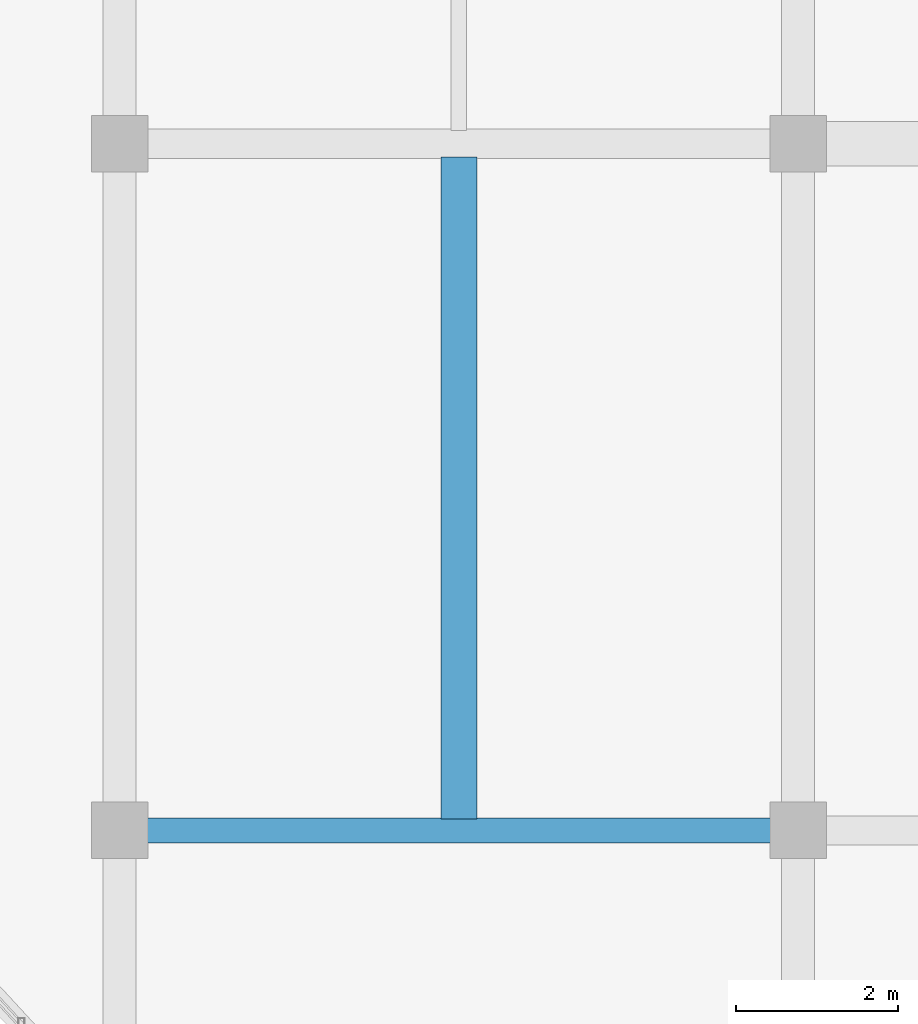
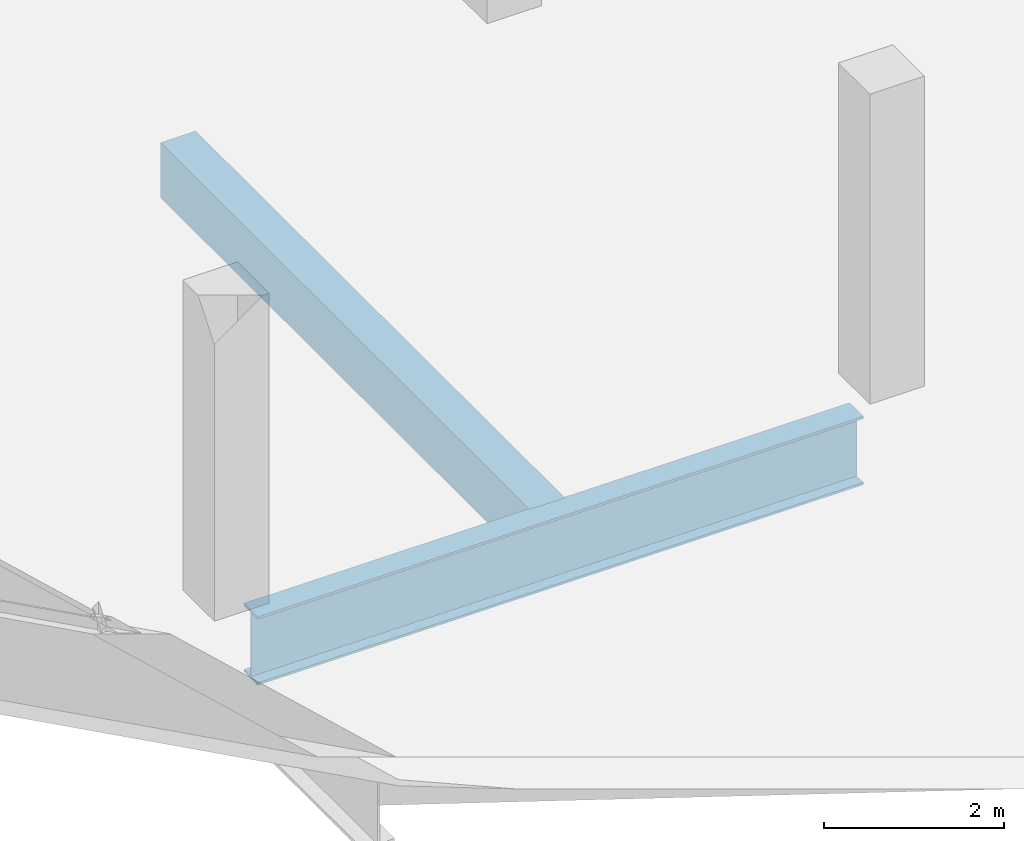
# One storey, part 5 of 52: 2 beams.
"""IFC4 building model written with IfcOpenShell, lengths in metres."""

from ifc_helpers import new_model, si_unit, direction, frame, origin, origin_2d, place, context, subcontext, project, spatial, rectangle, i_section, extrude, material, material_profile, profile_set, type_object, element, save


model = new_model("IFC4")

# Units and contexts
model_context = context("Model", 3, precision=1e-05, world=origin(), true_north=direction((0.0, 1.0)))
body_context = subcontext(model_context, "Body", "Model", "MODEL_VIEW")
ifc_project = project(units=[si_unit("LENGTHUNIT", "METRE"), si_unit("AREAUNIT", "SQUARE_METRE"), si_unit("VOLUMEUNIT", "CUBIC_METRE"), si_unit("PLANEANGLEUNIT", "RADIAN"), si_unit("MASSUNIT", "GRAM", prefix="KILO")], contexts=[model_context])

# Site, building, storey
site_placement = place(None, origin())
site = spatial("IfcSite", under=ifc_project, at=site_placement, CompositionType="ELEMENT")
building_placement = place(site_placement, origin())
building = spatial("IfcBuilding", under=site, at=building_placement, Name="Solvento Point Concert Hall", CompositionType="ELEMENT")
storey_placement = place(building_placement, frame((0.0, 0.0, 19.5)))
storey = spatial("IfcBuildingStorey", under=building, at=storey_placement, Name="L04", CompositionType="ELEMENT", Elevation=19.5)

# Beams
ifc_material_1 = material(Name="Concrete C35/45", Category="concrete")
ifc_material_profile_1 = material_profile(ifc_material_1, rectangle(XDim=0.449951171875, YDim=0.75, at=origin_2d()), Name="RC-BM-450X750")
ifc_profile_set_1 = profile_set([ifc_material_profile_1], Name="Concrete C35/45")
beam_type_1 = type_object("IfcBeamType", Name="Beam_RC_450x750", PredefinedType="BEAM", material=ifc_profile_set_1)
beam_1_placement = place(storey_placement, frame((45.0, 17.138671875, -0.6689453125), z_axis=(0.0, 1.0, 0.0), x_axis=(-1.0, 0.0, 0.0)))
element("IfcBeam", 1, at=beam_1_placement, inside=storey, type_object=beam_type_1, Name="Secondary floor joist B-28 L04", PredefinedType="BEAM", context=body_context, shape_type="SweptSolid", body=[
    extrude(rectangle(XDim=0.449951171875, YDim=0.75, at=origin_2d()), origin(), (0.0, 0.0, 1.0), 8.19580078125),
])
ifc_material_2 = material(Name="Structural Steel ASTM A992 Grade 50", Category="steel")
ifc_material_profile_2 = material_profile(ifc_material_2, i_section(OverallWidth=0.3076171875, OverallDepth=0.927001953125, WebThickness=0.019287109375, FlangeThickness=0.031982421875, at=origin_2d()), Name="W36X194")
ifc_profile_set_2 = profile_set([ifc_material_profile_2], Name="Structural Steel ASTM A992 Grade 50")
beam_type_2 = type_object("IfcBeamType", Name="Girder_W36X194", PredefinedType="USERDEFINED", material=ifc_profile_set_2)
beam_2_placement = place(storey_placement, frame((41.118896484375, 17.0, -0.757568359375), z_axis=(1.0, 0.0, 0.0), x_axis=(0.0, 1.0, 0.0)))
element("IfcBeam", 2, at=beam_2_placement, inside=storey, type_object=beam_type_2, Name="Primary girder B-61 L04", ObjectType="GIRDER", PredefinedType="USERDEFINED", context=body_context, shape_type="SweptSolid", body=[
    extrude(i_section(OverallWidth=0.3076171875, OverallDepth=0.927001953125, WebThickness=0.019287109375, FlangeThickness=0.031982421875, at=origin_2d()), origin(), (0.0, 0.0, 1.0), 7.76220703125),
])

save(model, "model.ifc")
